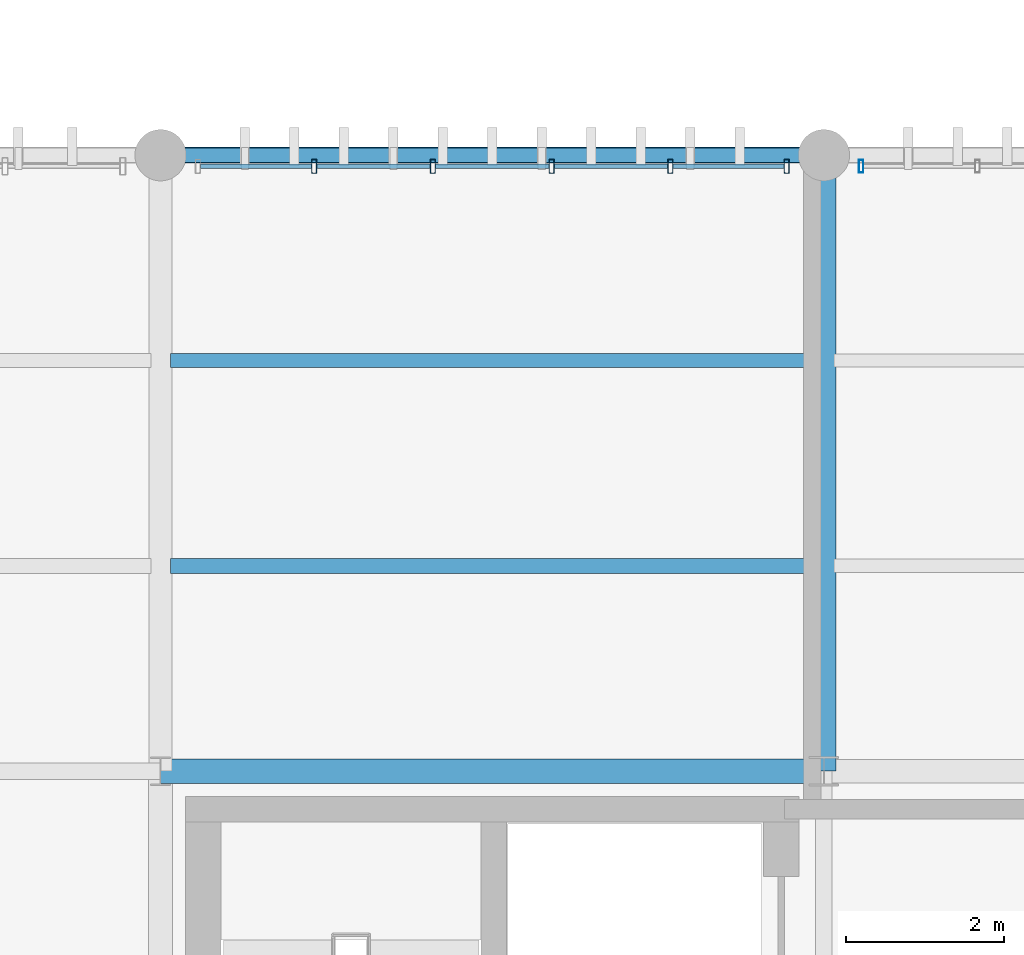
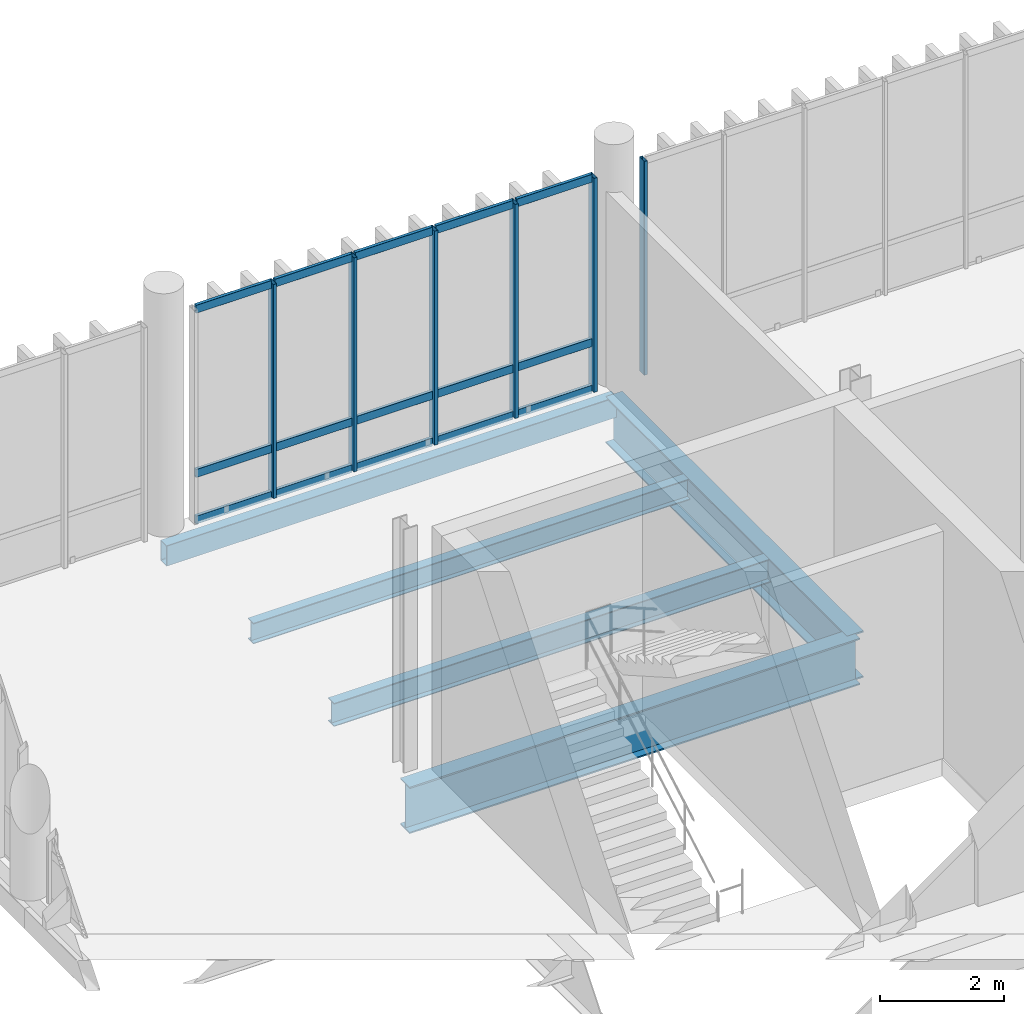
# One storey, part 16 of 86: 21 members, 5 beams, 2 elements without a shape of their own.
"""IFC4 building model written with IfcOpenShell, lengths in metres."""

import ifcopenshell
import ifcopenshell.guid

model = None  # the IFC model being written
_history = None  # IfcOwnerHistory: only IFC2X3 demands one
_inside = {}  # id of a spatial element -> (the spatial element, [elements in it])
_under = {}  # id of a project, library or spatial element -> (it, [spatial elements below it])
_declared = {}  # id of a project -> (the project, [libraries it declares])
_typed = {}  # id of a type object -> (the type object, [elements of that type])
_made_of = {}  # id of a material, layer set ... -> (it, [elements and type objects made of it])


def new_model(schema):
    """Start an empty IFC model of exactly this schema.

    Asked for "IFC4X3", IfcOpenShell would pick the latest addendum, in which some entities
    have other attributes; the version numbers below select the first issue.
    IFC2X3 requires an IfcOwnerHistory on every rooted entity: one is made here for all.
    """
    global model, _history
    if schema == "IFC4X3":
        model = ifcopenshell.file(schema_version=(4, 3, 0, 0))
    else:
        model = ifcopenshell.file(schema=schema)
    _inside.clear()
    _under.clear()
    _declared.clear()
    _typed.clear()
    _made_of.clear()
    _history = None
    if model.schema == "IFC2X3":
        org = make("IfcOrganization", Name="unknown")
        user = make(
            "IfcPersonAndOrganization",
            ThePerson=make("IfcPerson", FamilyName="unknown"),
            TheOrganization=org,
        )
        app = make(
            "IfcApplication",
            ApplicationDeveloper=org,
            Version="unknown",
            ApplicationFullName="unknown",
            ApplicationIdentifier="unknown",
        )
        _history = make(
            "IfcOwnerHistory",
            OwningUser=user,
            OwningApplication=app,
            ChangeAction="ADDED",
            CreationDate=0,
        )
    return model


def make(cls, **values):
    """One entity of the class cls with the attributes given. An attribute that is None is left unset."""
    return model.create_entity(
        cls, **{name: value for name, value in values.items() if value is not None}
    )


def rooted(cls, **values):
    """An entity with a GlobalId (a new one), such as an element, a storey or a relation."""
    return make(cls, GlobalId=ifcopenshell.guid.new(), OwnerHistory=_history, **values)


def si_unit(unit_type, name, prefix=None):
    """IfcSIUnit, for example si_unit("LENGTHUNIT", "METRE", prefix="MILLI")."""
    return make("IfcSIUnit", UnitType=unit_type, Prefix=prefix, Name=name)


def assignment(units):
    """IfcUnitAssignment: the units of a project."""
    return None if units is None else make("IfcUnitAssignment", Units=units)


def point(xyz):
    """IfcCartesianPoint."""
    return None if xyz is None else make("IfcCartesianPoint", Coordinates=xyz)


def direction(xyz):
    """IfcDirection."""
    return None if xyz is None else make("IfcDirection", DirectionRatios=xyz)


def frame(location, z_axis=None, x_axis=None):
    """IfcAxis2Placement3D, a coordinate frame: its origin and axes. An axis left out is left unset."""
    return make(
        "IfcAxis2Placement3D",
        Location=point(location),
        Axis=direction(z_axis),
        RefDirection=direction(x_axis),
    )


def frame_2d(location, x_axis=None):
    """IfcAxis2Placement2D, a coordinate frame in the plane: its origin and x axis."""
    return make(
        "IfcAxis2Placement2D", Location=point(location), RefDirection=direction(x_axis)
    )


def origin_with_axes():
    """The frame at (0, 0, 0) with the z axis (0, 0, 1) and the x axis (1, 0, 0) written out."""
    return frame((0.0, 0.0, 0.0), z_axis=(0.0, 0.0, 1.0), x_axis=(1.0, 0.0, 0.0))


def origin_2d_with_axis():
    """The frame at (0, 0) in the plane with the x axis (1, 0) written out."""
    return frame_2d((0.0, 0.0), x_axis=(1.0, 0.0))


def place(relative_to, where):
    """IfcLocalPlacement: puts the frame where relative to a parent placement (None: the world)."""
    return make(
        "IfcLocalPlacement", PlacementRelTo=relative_to, RelativePlacement=where
    )


def context(
    kind, dimensions, precision=None, world=None, true_north=None, identifier=None
):
    """IfcGeometricRepresentationContext, for example the 3D "Model" context."""
    return make(
        "IfcGeometricRepresentationContext",
        ContextIdentifier=identifier,
        ContextType=kind,
        CoordinateSpaceDimension=dimensions,
        Precision=precision,
        WorldCoordinateSystem=world,
        TrueNorth=true_north,
    )


def subcontext(parent, identifier, kind, view, scale=None):
    """IfcGeometricRepresentationSubContext, for example "Body" below "Model"."""
    return make(
        "IfcGeometricRepresentationSubContext",
        ContextIdentifier=identifier,
        ContextType=kind,
        ParentContext=parent,
        TargetScale=scale,
        TargetView=view,
    )


def project(units=None, contexts=None):
    """IfcProject with its units and contexts."""
    return rooted(
        "IfcProject",
        Name="project",
        RepresentationContexts=contexts,
        UnitsInContext=assignment(units),
    )


def spatial(cls, under=None, at=None, **own):
    """A site, building, storey or space (cls), placed at a placement, below another one or the project."""
    s = rooted(cls, ObjectPlacement=at, **own)
    if under is not None:
        _under.setdefault(under.id(), (under, []))[1].append(s)
    return s


def profile(cls, at=None, kind="AREA", **sizes):
    """A parametric profile (cls). Its sizes go by their IFC names, for example OverallWidth=200.0."""
    return make(cls, ProfileType=kind, Position=at, **sizes)


def hollow_rectangle(**sizes):
    """IfcRectangleHollowProfileDef."""
    return profile("IfcRectangleHollowProfileDef", **sizes)


def i_section(**sizes):
    """IfcIShapeProfileDef."""
    return profile("IfcIShapeProfileDef", **sizes)


def extrude(swept, where, along, depth):
    """IfcExtrudedAreaSolid: the profile swept, set in the frame where, extruded along a direction by depth."""
    return make(
        "IfcExtrudedAreaSolid",
        SweptArea=swept,
        Position=where,
        ExtrudedDirection=direction(along),
        Depth=depth,
    )


def shape(context_of_items, identifier, shape_type, items):
    """IfcShapeRepresentation: the items that make up one representation, for example the "Body"."""
    return make(
        "IfcShapeRepresentation",
        ContextOfItems=context_of_items,
        RepresentationIdentifier=identifier,
        RepresentationType=shape_type,
        Items=items,
    )


def material(Name=None, Category=None):
    """IfcMaterial."""
    return make("IfcMaterial", Name=Name, Category=Category)


def material_profile(
    of_material, cross_section, Name=None, Category=None, Priority=None
):
    """IfcMaterialProfile: a cross section and its material."""
    return make(
        "IfcMaterialProfile",
        Name=Name,
        Material=of_material,
        Profile=cross_section,
        Priority=Priority,
        Category=Category,
    )


def profile_set(profiles, Name=None, composite=None):
    """IfcMaterialProfileSet."""
    return make(
        "IfcMaterialProfileSet",
        Name=Name,
        MaterialProfiles=profiles,
        CompositeProfile=composite,
    )


def made_of(thing, what):
    """Note that an element or type object is made of a material, layer set ...; save() writes the relation."""
    if what is not None:
        _made_of.setdefault(what.id(), (what, []))[1].append(thing)
    return thing


def type_object(cls, material=None, **own):
    """A type object (cls), such as IfcWallType, which elements share."""
    return made_of(rooted(cls, **own), material)


def element(
    cls,
    number,
    at=None,
    inside=None,
    cuts=None,
    type_object=None,
    material=None,
    context=None,
    identifier="Body",
    shape_type=None,
    held_by="IfcProductDefinitionShape",
    body=None,
    shapes=None,
    **own,
):
    """One element of the class cls, such as IfcWall. Its Tag is "e" and its number.

    at: its placement. inside: the storey or other place that contains it. cuts: it is an
    opening in that element (IfcRelVoidsElement). A single representation is given by context,
    identifier, shape_type and body (its items); several are given by shapes. held_by: the class
    of the entity that holds the representations. save() writes the other relations.
    """
    e = rooted(cls, Tag="e%d" % number, ObjectPlacement=at, **own)
    if body is not None:
        shapes = [shape(context, identifier, shape_type, body)]
    if shapes is not None:
        e.Representation = make(held_by, Representations=shapes)
    if inside is not None:
        _inside.setdefault(inside.id(), (inside, []))[1].append(e)
    if cuts is not None:
        rooted(
            "IfcRelVoidsElement", RelatingBuildingElement=cuts, RelatedOpeningElement=e
        )
    if type_object is not None:
        _typed.setdefault(type_object.id(), (type_object, []))[1].append(e)
    return made_of(e, material)


def aggregate(whole, parts):
    """IfcRelAggregates: a whole, such as a stair, and the parts it consists of."""
    return rooted("IfcRelAggregates", RelatingObject=whole, RelatedObjects=parts)


def save(model, path):
    """Write the relations noted so far, then the file.

    IfcRelAggregates (storeys below a building ...), IfcRelContainedInSpatialStructure (elements
    in a storey), IfcRelDefinesByType, IfcRelAssociatesMaterial and IfcRelDeclares: one each for
    every whole, place, type object, material and project.
    """
    for whole, parts in _under.values():
        aggregate(whole, parts)
    for where, things in _inside.values():
        rooted(
            "IfcRelContainedInSpatialStructure",
            RelatedElements=things,
            RelatingStructure=where,
        )
    for kind, things in _typed.values():
        rooted("IfcRelDefinesByType", RelatedObjects=things, RelatingType=kind)
    for what, things in _made_of.values():
        rooted("IfcRelAssociatesMaterial", RelatedObjects=things, RelatingMaterial=what)
    for by, libraries in _declared.values():
        rooted("IfcRelDeclares", RelatingContext=by, RelatedDefinitions=libraries)
    model.write(path)


model = new_model("IFC4")

# Units and contexts
model_context = context("Model", 3, precision=1e-05, world=origin_with_axes(), true_north=direction((0.0, 1.0)))
body_context = subcontext(model_context, "Body", "Model", "MODEL_VIEW")
ifc_project = project(units=[si_unit("LENGTHUNIT", "METRE"), si_unit("AREAUNIT", "SQUARE_METRE"), si_unit("VOLUMEUNIT", "CUBIC_METRE"), si_unit("PLANEANGLEUNIT", "RADIAN"), si_unit("MASSUNIT", "GRAM", prefix="KILO"), si_unit("THERMODYNAMICTEMPERATUREUNIT", "KELVIN")], contexts=[model_context])

# Site, building, storey
site_placement = place(None, origin_with_axes())
site = spatial("IfcSite", under=ifc_project, at=site_placement, CompositionType="ELEMENT")
building_placement = place(site_placement, origin_with_axes())
building = spatial("IfcBuilding", under=site, at=building_placement, Name="Montbau Bow Law Courts", CompositionType="ELEMENT")
storey_placement = place(building_placement, frame((0.0, 0.0, 29.7), z_axis=(0.0, 0.0, 1.0), x_axis=(1.0, 0.0, 0.0)))
storey = spatial("IfcBuildingStorey", under=building, at=storey_placement, Name="L06", CompositionType="ELEMENT", Elevation=29.7)

# Beams
ifc_material_1 = material(Name="Steel CSA G40.21 Grade 350W (350 MPa)", Category="steel")
ifc_material_profile_1 = material_profile(ifc_material_1, i_section(OverallWidth=0.306, OverallDepth=0.919, WebThickness=0.0173, FlangeThickness=0.0279, at=origin_2d_with_axis()), Name="W920X253", Category="Main", Priority=0)
ifc_profile_set_1 = profile_set([ifc_material_profile_1], Name="Steel CSA G40.21 Grade 350W (350 MPa)")
beam_type_1 = type_object("IfcBeamType", Name="B-FLR-01", PredefinedType="BEAM", material=ifc_profile_set_1)
beam_1_placement = place(None, frame((13.8, 54.6, 28.901), z_axis=(1.0, 0.0, 0.0), x_axis=(0.0, 1.0, 0.0)))
element("IfcBeam", 1, at=beam_1_placement, inside=storey, type_object=beam_type_1, Name="BM-L06-S0682:bm2_0685", PredefinedType="BEAM", context=body_context, shape_type="SweptSolid", body=[
    extrude(i_section(OverallWidth=0.306, OverallDepth=0.919, WebThickness=0.0173, FlangeThickness=0.0279, at=origin_2d_with_axis()), origin_with_axes(), (0.0, 0.0, 1.0), 8.4),
])
beam_2_placement = place(None, frame((22.2, 54.6, 28.901), z_axis=(0.0, 1.0, 0.0), x_axis=(-1.0, 0.0, 0.0)))
element("IfcBeam", 2, at=beam_2_placement, inside=storey, type_object=beam_type_1, Name="BM-L06-S0701:bm2_0704", PredefinedType="BEAM", context=body_context, shape_type="SweptSolid", body=[
    extrude(i_section(OverallWidth=0.306, OverallDepth=0.919, WebThickness=0.0173, FlangeThickness=0.0279, at=origin_2d_with_axis()), origin_with_axes(), (0.0, 0.0, 1.0), 7.8),
])
ifc_material_profile_2 = material_profile(ifc_material_1, i_section(OverallWidth=0.191, OverallDepth=0.46, WebThickness=0.0099, FlangeThickness=0.016, at=origin_2d_with_axis()), Name="W460X82", Category="Main", Priority=0)
ifc_profile_set_2 = profile_set([ifc_material_profile_2], Name="Steel CSA G40.21 Grade 350W (350 MPa)")
beam_type_2 = type_object("IfcBeamType", Name="B-JST-01", PredefinedType="JOIST", material=ifc_profile_set_2)
beam_3_placement = place(None, frame((13.923, 57.2, 29.13), z_axis=(1.0, 0.0, 0.0), x_axis=(0.0, 1.0, 0.0)))
element("IfcBeam", 3, at=beam_3_placement, inside=storey, type_object=beam_type_2, Name="JST-L06-S0340:jst2_0340", PredefinedType="JOIST", context=body_context, shape_type="SweptSolid", body=[
    extrude(i_section(OverallWidth=0.191, OverallDepth=0.46, WebThickness=0.0099, FlangeThickness=0.016, at=origin_2d_with_axis()), origin_with_axes(), (0.0, 0.0, 1.0), 8.148),
])
ifc_material_profile_3 = material_profile(ifc_material_1, i_section(OverallWidth=0.179, OverallDepth=0.41, WebThickness=0.0088, FlangeThickness=0.0144, at=origin_2d_with_axis()), Name="W410X67", Category="Main", Priority=0)
ifc_profile_set_3 = profile_set([ifc_material_profile_3], Name="Steel CSA G40.21 Grade 350W (350 MPa)")
beam_type_3 = type_object("IfcBeamType", Name="B-JST-02", PredefinedType="JOIST", material=ifc_profile_set_3)
beam_4_placement = place(None, frame((13.923, 59.8, 29.155), z_axis=(1.0, 0.0, 0.0), x_axis=(0.0, 1.0, 0.0)))
element("IfcBeam", 4, at=beam_4_placement, inside=storey, type_object=beam_type_3, Name="JST-L06-S0341:jst2_0341", PredefinedType="JOIST", context=body_context, shape_type="SweptSolid", body=[
    extrude(i_section(OverallWidth=0.179, OverallDepth=0.41, WebThickness=0.0088, FlangeThickness=0.0144, at=origin_2d_with_axis()), origin_with_axes(), (0.0, 0.0, 1.0), 8.148),
])
ifc_material_2 = material(Name="Steel CSA G40.21 Grade 350WT (350 MPa)", Category="steel")
ifc_material_profile_4 = material_profile(ifc_material_2, hollow_rectangle(XDim=0.203, YDim=0.406, WallThickness=0.0127, InnerFilletRadius=0.0254, OuterFilletRadius=0.0127, at=origin_2d_with_axis()), Name="HSS406X203X13", Category="Main", Priority=0)
ifc_profile_set_4 = profile_set([ifc_material_profile_4], Name="Steel CSA G40.21 Grade 350WT (350 MPa)")
beam_type_4 = type_object("IfcBeamType", Name="B-SPN-01", PredefinedType="SPANDREL", material=ifc_profile_set_4)
beam_5_placement = place(None, frame((13.8, 62.4, 29.157), z_axis=(1.0, 0.0, 0.0), x_axis=(0.0, 1.0, 0.0)))
element("IfcBeam", 5, at=beam_5_placement, inside=storey, type_object=beam_type_4, Name="SPN-L06-S0687:bm2_0690", PredefinedType="SPANDREL", context=body_context, shape_type="SweptSolid", body=[
    extrude(hollow_rectangle(XDim=0.203, YDim=0.406, WallThickness=0.0127, InnerFilletRadius=0.0254, OuterFilletRadius=0.0127, at=origin_2d_with_axis()), origin_with_axes(), (0.0, 0.0, 1.0), 8.4),
])

# Curtain wall, members
ifc_material_3 = material(Name="Thermally Broken Extruded Aluminium AA 6063-T6", Category="aluminium")
curtain_wall_type = type_object("IfcCurtainWallType", Name="CW-TRC-02", PredefinedType="NOTDEFINED", material=ifc_material_3)
curtain_wall_1_placement = place(None, frame((14.24, 62.26, 29.7), z_axis=(0.0, 0.0, 1.0), x_axis=(1.0, 0.0, 0.0)))
curtain_wall_1 = element("IfcCurtainWall", 6, at=curtain_wall_1_placement, inside=storey, type_object=curtain_wall_type, Name="CW-L06-100:cw_0100", PredefinedType="NOTDEFINED")
ifc_material_profile_5 = material_profile(ifc_material_3, hollow_rectangle(XDim=0.065, YDim=0.18, WallThickness=0.005, InnerFilletRadius=0.01, OuterFilletRadius=0.005, at=origin_2d_with_axis()), Name="CWM-180X65", Category="Main", Priority=0)
ifc_profile_set_5 = profile_set([ifc_material_profile_5], Name="Thermally Broken Extruded Aluminium AA 6063-T6")
member_type_1 = type_object("IfcMemberType", Name="M-MUL-02", PredefinedType="MULLION", material=ifc_profile_set_5)
member_1_placement = place(None, frame((15.744, 62.26, 29.7), z_axis=(0.0, 0.0, 1.0), x_axis=(1.0, 0.0, 0.0)))
member_1 = element("IfcMember", 7, at=member_1_placement, type_object=member_type_1, Name="CW-L06-100-M02:cw_0100_M02", PredefinedType="MULLION", context=body_context, shape_type="SweptSolid", body=[
    extrude(hollow_rectangle(XDim=0.065, YDim=0.18, WallThickness=0.005, InnerFilletRadius=0.01, OuterFilletRadius=0.005, at=origin_2d_with_axis()), origin_with_axes(), (0.0, 0.0, 1.0), 4.22),
])
member_2_placement = place(None, frame((17.248, 62.26, 29.7), z_axis=(0.0, 0.0, 1.0), x_axis=(1.0, 0.0, 0.0)))
member_2 = element("IfcMember", 8, at=member_2_placement, type_object=member_type_1, Name="CW-L06-100-M03:cw_0100_M03", PredefinedType="MULLION", context=body_context, shape_type="SweptSolid", body=[
    extrude(hollow_rectangle(XDim=0.065, YDim=0.18, WallThickness=0.005, InnerFilletRadius=0.01, OuterFilletRadius=0.005, at=origin_2d_with_axis()), origin_with_axes(), (0.0, 0.0, 1.0), 4.22),
])
member_3_placement = place(None, frame((18.752, 62.26, 29.7), z_axis=(0.0, 0.0, 1.0), x_axis=(1.0, 0.0, 0.0)))
member_3 = element("IfcMember", 9, at=member_3_placement, type_object=member_type_1, Name="CW-L06-100-M04:cw_0100_M04", PredefinedType="MULLION", context=body_context, shape_type="SweptSolid", body=[
    extrude(hollow_rectangle(XDim=0.065, YDim=0.18, WallThickness=0.005, InnerFilletRadius=0.01, OuterFilletRadius=0.005, at=origin_2d_with_axis()), origin_with_axes(), (0.0, 0.0, 1.0), 4.22),
])
member_4_placement = place(None, frame((20.256, 62.26, 29.7), z_axis=(0.0, 0.0, 1.0), x_axis=(1.0, 0.0, 0.0)))
member_4 = element("IfcMember", 10, at=member_4_placement, type_object=member_type_1, Name="CW-L06-100-M05:cw_0100_M05", PredefinedType="MULLION", context=body_context, shape_type="SweptSolid", body=[
    extrude(hollow_rectangle(XDim=0.065, YDim=0.18, WallThickness=0.005, InnerFilletRadius=0.01, OuterFilletRadius=0.005, at=origin_2d_with_axis()), origin_with_axes(), (0.0, 0.0, 1.0), 4.22),
])
member_5_placement = place(None, frame((21.728, 62.26, 29.7), z_axis=(0.0, 0.0, 1.0), x_axis=(1.0, 0.0, 0.0)))
member_5 = element("IfcMember", 11, at=member_5_placement, type_object=member_type_1, Name="CW-L06-100-M06:cw_0100_M06", PredefinedType="MULLION", context=body_context, shape_type="SweptSolid", body=[
    extrude(hollow_rectangle(XDim=0.065, YDim=0.18, WallThickness=0.005, InnerFilletRadius=0.01, OuterFilletRadius=0.005, at=origin_2d_with_axis()), origin_with_axes(), (0.0, 0.0, 1.0), 4.22),
])

# Curtain wall, member
curtain_wall_2_placement = place(None, frame((22.64, 62.26, 29.7), z_axis=(0.0, 0.0, 1.0), x_axis=(1.0, 0.0, 0.0)))
curtain_wall_2 = element("IfcCurtainWall", 12, at=curtain_wall_2_placement, inside=storey, type_object=curtain_wall_type, Name="CW-L06-101:cw_0101", PredefinedType="NOTDEFINED")
ifc_material_profile_6 = material_profile(ifc_material_3, hollow_rectangle(XDim=0.06, YDim=0.16, WallThickness=0.004, InnerFilletRadius=0.008, OuterFilletRadius=0.004, at=origin_2d_with_axis()), Name="CWM-160X60", Category="Main", Priority=0)
ifc_profile_set_6 = profile_set([ifc_material_profile_6], Name="Thermally Broken Extruded Aluminium AA 6063-T6")
member_type_2 = type_object("IfcMemberType", Name="M-MUL-03", PredefinedType="MULLION", material=ifc_profile_set_6)
member_6_placement = place(None, frame((22.67, 62.26, 29.7), z_axis=(0.0, 0.0, 1.0), x_axis=(1.0, 0.0, 0.0)))
member_6 = element("IfcMember", 13, at=member_6_placement, type_object=member_type_2, Name="CW-L06-101-M01:cw_0101_M01", PredefinedType="MULLION", context=body_context, shape_type="SweptSolid", body=[
    extrude(hollow_rectangle(XDim=0.06, YDim=0.16, WallThickness=0.004, InnerFilletRadius=0.008, OuterFilletRadius=0.004, at=origin_2d_with_axis()), origin_with_axes(), (0.0, 0.0, 1.0), 4.22),
])
aggregate(curtain_wall_2, [member_6])

# Member
ifc_material_profile_7 = material_profile(ifc_material_3, hollow_rectangle(XDim=0.06, YDim=0.16, WallThickness=0.004, InnerFilletRadius=0.008, OuterFilletRadius=0.004, at=origin_2d_with_axis()), Name="CWT-160X60", Category="Main", Priority=0)
ifc_profile_set_7 = profile_set([ifc_material_profile_7], Name="Thermally Broken Extruded Aluminium AA 6063-T6")
member_type_3 = type_object("IfcMemberType", Name="M-TRN-01", PredefinedType="USERDEFINED", material=ifc_profile_set_7)
member_7_placement = place(None, frame((14.308, 62.26, 29.73), z_axis=(1.0, 0.0, 0.0), x_axis=(0.0, 1.0, 0.0)))
member_7 = element("IfcMember", 14, at=member_7_placement, type_object=member_type_3, Name="CW-L06-100-T01-1:cw_0100_T01_1", ObjectType="TRANSOM", PredefinedType="USERDEFINED", context=body_context, shape_type="SweptSolid", body=[
    extrude(hollow_rectangle(XDim=0.06, YDim=0.16, WallThickness=0.004, InnerFilletRadius=0.008, OuterFilletRadius=0.004, at=origin_2d_with_axis()), origin_with_axes(), (0.0, 0.0, 1.0), 1.402),
])

member_8_placement = place(None, frame((14.308, 62.26, 30.65), z_axis=(1.0, 0.0, 0.0), x_axis=(0.0, 1.0, 0.0)))
member_8 = element("IfcMember", 15, at=member_8_placement, type_object=member_type_3, Name="CW-L06-100-T01-2:cw_0100_T01_2", ObjectType="TRANSOM", PredefinedType="USERDEFINED", context=body_context, shape_type="SweptSolid", body=[
    extrude(hollow_rectangle(XDim=0.06, YDim=0.16, WallThickness=0.004, InnerFilletRadius=0.008, OuterFilletRadius=0.004, at=origin_2d_with_axis()), origin_with_axes(), (0.0, 0.0, 1.0), 1.402),
])

member_9_placement = place(None, frame((14.308, 62.26, 33.89), z_axis=(1.0, 0.0, 0.0), x_axis=(0.0, 1.0, 0.0)))
member_9 = element("IfcMember", 16, at=member_9_placement, type_object=member_type_3, Name="CW-L06-100-T01-3:cw_0100_T01_3", ObjectType="TRANSOM", PredefinedType="USERDEFINED", context=body_context, shape_type="SweptSolid", body=[
    extrude(hollow_rectangle(XDim=0.06, YDim=0.16, WallThickness=0.004, InnerFilletRadius=0.008, OuterFilletRadius=0.004, at=origin_2d_with_axis()), origin_with_axes(), (0.0, 0.0, 1.0), 1.402),
])

member_10_placement = place(None, frame((15.778, 62.26, 29.73), z_axis=(1.0, 0.0, 0.0), x_axis=(0.0, 1.0, 0.0)))
member_10 = element("IfcMember", 17, at=member_10_placement, type_object=member_type_3, Name="CW-L06-100-T02-1:cw_0100_T02_1", ObjectType="TRANSOM", PredefinedType="USERDEFINED", context=body_context, shape_type="SweptSolid", body=[
    extrude(hollow_rectangle(XDim=0.06, YDim=0.16, WallThickness=0.004, InnerFilletRadius=0.008, OuterFilletRadius=0.004, at=origin_2d_with_axis()), origin_with_axes(), (0.0, 0.0, 1.0), 1.436),
])

member_11_placement = place(None, frame((15.778, 62.26, 30.65), z_axis=(1.0, 0.0, 0.0), x_axis=(0.0, 1.0, 0.0)))
member_11 = element("IfcMember", 18, at=member_11_placement, type_object=member_type_3, Name="CW-L06-100-T02-2:cw_0100_T02_2", ObjectType="TRANSOM", PredefinedType="USERDEFINED", context=body_context, shape_type="SweptSolid", body=[
    extrude(hollow_rectangle(XDim=0.06, YDim=0.16, WallThickness=0.004, InnerFilletRadius=0.008, OuterFilletRadius=0.004, at=origin_2d_with_axis()), origin_with_axes(), (0.0, 0.0, 1.0), 1.436),
])

member_12_placement = place(None, frame((15.778, 62.26, 33.89), z_axis=(1.0, 0.0, 0.0), x_axis=(0.0, 1.0, 0.0)))
member_12 = element("IfcMember", 19, at=member_12_placement, type_object=member_type_3, Name="CW-L06-100-T02-3:cw_0100_T02_3", ObjectType="TRANSOM", PredefinedType="USERDEFINED", context=body_context, shape_type="SweptSolid", body=[
    extrude(hollow_rectangle(XDim=0.06, YDim=0.16, WallThickness=0.004, InnerFilletRadius=0.008, OuterFilletRadius=0.004, at=origin_2d_with_axis()), origin_with_axes(), (0.0, 0.0, 1.0), 1.436),
])

member_13_placement = place(None, frame((17.282, 62.26, 29.73), z_axis=(1.0, 0.0, 0.0), x_axis=(0.0, 1.0, 0.0)))
member_13 = element("IfcMember", 20, at=member_13_placement, type_object=member_type_3, Name="CW-L06-100-T03-1:cw_0100_T03_1", ObjectType="TRANSOM", PredefinedType="USERDEFINED", context=body_context, shape_type="SweptSolid", body=[
    extrude(hollow_rectangle(XDim=0.06, YDim=0.16, WallThickness=0.004, InnerFilletRadius=0.008, OuterFilletRadius=0.004, at=origin_2d_with_axis()), origin_with_axes(), (0.0, 0.0, 1.0), 1.436),
])

member_14_placement = place(None, frame((17.282, 62.26, 30.65), z_axis=(1.0, 0.0, 0.0), x_axis=(0.0, 1.0, 0.0)))
member_14 = element("IfcMember", 21, at=member_14_placement, type_object=member_type_3, Name="CW-L06-100-T03-2:cw_0100_T03_2", ObjectType="TRANSOM", PredefinedType="USERDEFINED", context=body_context, shape_type="SweptSolid", body=[
    extrude(hollow_rectangle(XDim=0.06, YDim=0.16, WallThickness=0.004, InnerFilletRadius=0.008, OuterFilletRadius=0.004, at=origin_2d_with_axis()), origin_with_axes(), (0.0, 0.0, 1.0), 1.436),
])

member_15_placement = place(None, frame((17.282, 62.26, 33.89), z_axis=(1.0, 0.0, 0.0), x_axis=(0.0, 1.0, 0.0)))
member_15 = element("IfcMember", 22, at=member_15_placement, type_object=member_type_3, Name="CW-L06-100-T03-3:cw_0100_T03_3", ObjectType="TRANSOM", PredefinedType="USERDEFINED", context=body_context, shape_type="SweptSolid", body=[
    extrude(hollow_rectangle(XDim=0.06, YDim=0.16, WallThickness=0.004, InnerFilletRadius=0.008, OuterFilletRadius=0.004, at=origin_2d_with_axis()), origin_with_axes(), (0.0, 0.0, 1.0), 1.436),
])

member_16_placement = place(None, frame((18.786, 62.26, 29.73), z_axis=(1.0, 0.0, 0.0), x_axis=(0.0, 1.0, 0.0)))
member_16 = element("IfcMember", 23, at=member_16_placement, type_object=member_type_3, Name="CW-L06-100-T04-1:cw_0100_T04_1", ObjectType="TRANSOM", PredefinedType="USERDEFINED", context=body_context, shape_type="SweptSolid", body=[
    extrude(hollow_rectangle(XDim=0.06, YDim=0.16, WallThickness=0.004, InnerFilletRadius=0.008, OuterFilletRadius=0.004, at=origin_2d_with_axis()), origin_with_axes(), (0.0, 0.0, 1.0), 1.436),
])

member_17_placement = place(None, frame((18.786, 62.26, 30.65), z_axis=(1.0, 0.0, 0.0), x_axis=(0.0, 1.0, 0.0)))
member_17 = element("IfcMember", 24, at=member_17_placement, type_object=member_type_3, Name="CW-L06-100-T04-2:cw_0100_T04_2", ObjectType="TRANSOM", PredefinedType="USERDEFINED", context=body_context, shape_type="SweptSolid", body=[
    extrude(hollow_rectangle(XDim=0.06, YDim=0.16, WallThickness=0.004, InnerFilletRadius=0.008, OuterFilletRadius=0.004, at=origin_2d_with_axis()), origin_with_axes(), (0.0, 0.0, 1.0), 1.436),
])

member_18_placement = place(None, frame((18.786, 62.26, 33.89), z_axis=(1.0, 0.0, 0.0), x_axis=(0.0, 1.0, 0.0)))
member_18 = element("IfcMember", 25, at=member_18_placement, type_object=member_type_3, Name="CW-L06-100-T04-3:cw_0100_T04_3", ObjectType="TRANSOM", PredefinedType="USERDEFINED", context=body_context, shape_type="SweptSolid", body=[
    extrude(hollow_rectangle(XDim=0.06, YDim=0.16, WallThickness=0.004, InnerFilletRadius=0.008, OuterFilletRadius=0.004, at=origin_2d_with_axis()), origin_with_axes(), (0.0, 0.0, 1.0), 1.436),
])

member_19_placement = place(None, frame((20.29, 62.26, 29.73), z_axis=(1.0, 0.0, 0.0), x_axis=(0.0, 1.0, 0.0)))
member_19 = element("IfcMember", 26, at=member_19_placement, type_object=member_type_3, Name="CW-L06-100-T05-1:cw_0100_T05_1", ObjectType="TRANSOM", PredefinedType="USERDEFINED", context=body_context, shape_type="SweptSolid", body=[
    extrude(hollow_rectangle(XDim=0.06, YDim=0.16, WallThickness=0.004, InnerFilletRadius=0.008, OuterFilletRadius=0.004, at=origin_2d_with_axis()), origin_with_axes(), (0.0, 0.0, 1.0), 1.404),
])

member_20_placement = place(None, frame((20.29, 62.26, 30.65), z_axis=(1.0, 0.0, 0.0), x_axis=(0.0, 1.0, 0.0)))
member_20 = element("IfcMember", 27, at=member_20_placement, type_object=member_type_3, Name="CW-L06-100-T05-2:cw_0100_T05_2", ObjectType="TRANSOM", PredefinedType="USERDEFINED", context=body_context, shape_type="SweptSolid", body=[
    extrude(hollow_rectangle(XDim=0.06, YDim=0.16, WallThickness=0.004, InnerFilletRadius=0.008, OuterFilletRadius=0.004, at=origin_2d_with_axis()), origin_with_axes(), (0.0, 0.0, 1.0), 1.404),
])

member_21_placement = place(None, frame((20.29, 62.26, 33.89), z_axis=(1.0, 0.0, 0.0), x_axis=(0.0, 1.0, 0.0)))
member_21 = element("IfcMember", 28, at=member_21_placement, type_object=member_type_3, Name="CW-L06-100-T05-3:cw_0100_T05_3", ObjectType="TRANSOM", PredefinedType="USERDEFINED", context=body_context, shape_type="SweptSolid", body=[
    extrude(hollow_rectangle(XDim=0.06, YDim=0.16, WallThickness=0.004, InnerFilletRadius=0.008, OuterFilletRadius=0.004, at=origin_2d_with_axis()), origin_with_axes(), (0.0, 0.0, 1.0), 1.404),
])

aggregate(curtain_wall_1, [member_1, member_2, member_3, member_4, member_5, member_7, member_8, member_9, member_10, member_11, member_12, member_13, member_14, member_15, member_16, member_17, member_18, member_19, member_20, member_21])

save(model, "model.ifc")
